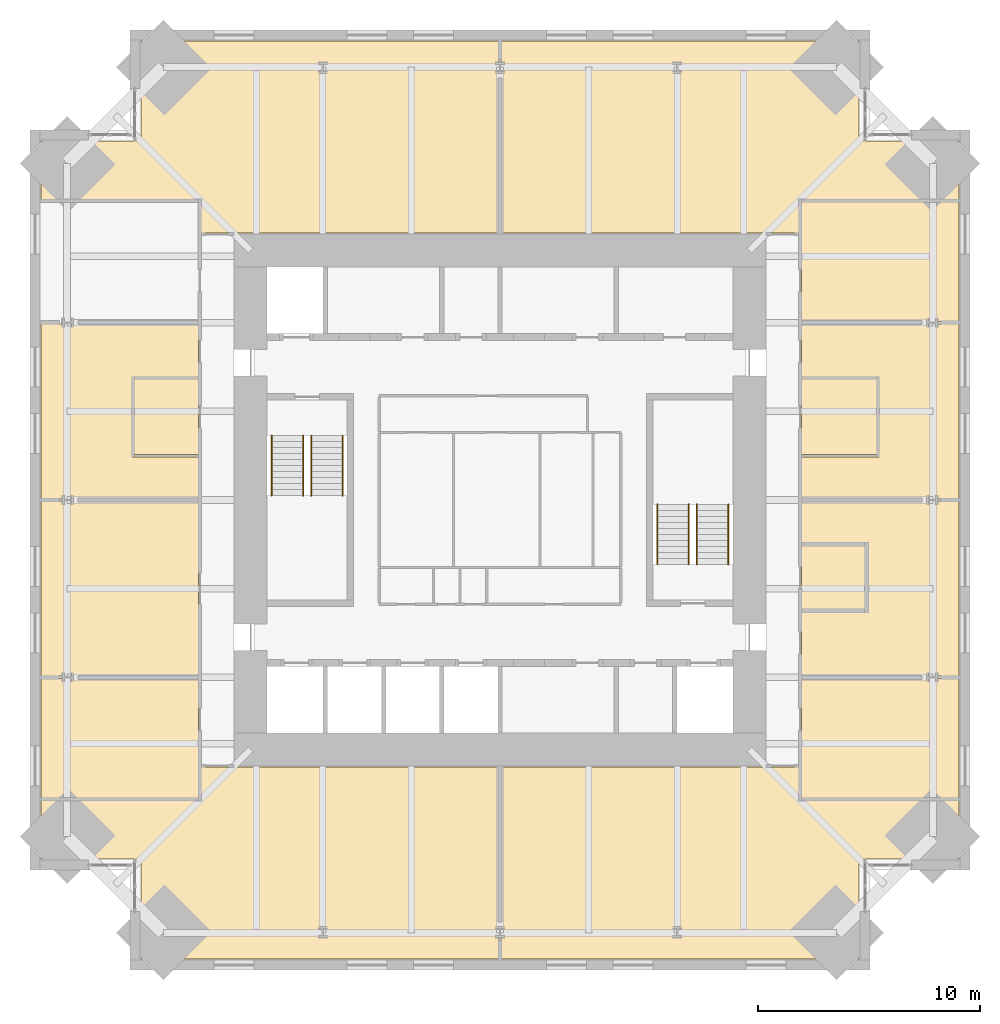
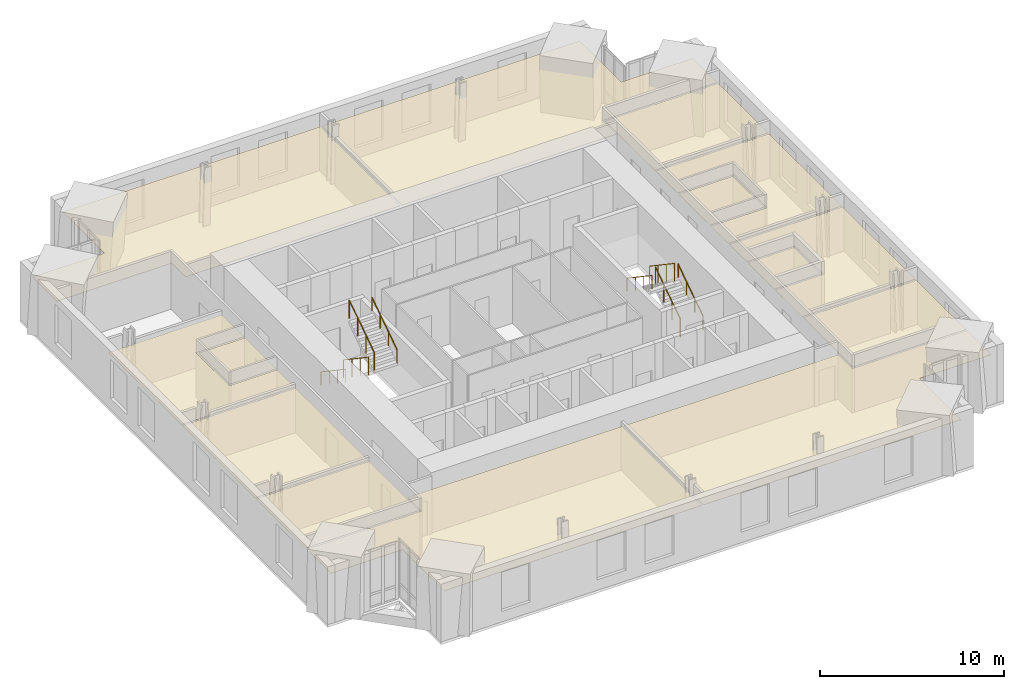
# One storey, part 15 of 15: 14 coverings, 8 railings.
"""IFC4 building model written with IfcOpenShell, lengths in metres."""

from ifc_helpers import new_model, si_unit, direction, frame, origin, origin_2d, place, context, subcontext, project, spatial, polyline, circle, outline, extrude, material, layer, layer_set, type_object, element, save


model = new_model("IFC4")

# Units and contexts
model_context = context("Model", 3, precision=1e-05, world=origin(), true_north=direction((0.0, 1.0)))
body_context = subcontext(model_context, "Body", "Model", "MODEL_VIEW")
ifc_project = project(units=[si_unit("LENGTHUNIT", "METRE"), si_unit("AREAUNIT", "SQUARE_METRE"), si_unit("VOLUMEUNIT", "CUBIC_METRE"), si_unit("PLANEANGLEUNIT", "RADIAN"), si_unit("MASSUNIT", "GRAM", prefix="KILO")], contexts=[model_context])

# Site, building, storey
site_placement = place(None, origin())
site = spatial("IfcSite", under=ifc_project, at=site_placement, CompositionType="ELEMENT")
building_placement = place(site_placement, origin())
building = spatial("IfcBuilding", under=site, at=building_placement, Name="Peilmerk Tower", CompositionType="ELEMENT")
storey_placement = place(building_placement, frame((0.0, 0.0, 281.800048828125)))
storey = spatial("IfcBuildingStorey", under=building, at=storey_placement, Name="L63", CompositionType="ELEMENT", Elevation=281.800048828125)

# Coverings
ifc_material_1 = material(Name="Mineral fibre ceiling tiles", Category="mineral")
ifc_layer = layer(ifc_material_1, 0.02490234375)
ifc_layer_set = layer_set([ifc_layer], Name="Mineral fibre ceiling tiles")
covering_type = type_object("IfcCoveringType", Name="CL1 25 suspended ceiling", PredefinedType="CEILING", material=ifc_layer_set)
covering_1_placement = place(storey_placement, frame((0.0, 0.0, 2.905029296875)))
element("IfcCovering", 1, at=covering_1_placement, inside=storey, type_object=covering_type, Name="Suspended ceiling Office", PredefinedType="CEILING", context=body_context, shape_type="SweptSolid", body=[
    extrude(outline(polyline([(-20.699951171875, 16.199951171875), (-20.699951171875, 13.550048828125), (-13.5, 13.550048828125), (-13.5, 12.050048828125), (-0.050048828125, 12.050048828125), (-0.050048828125, 20.699951171875), (-16.199951171875, 20.699951171875), (-16.199951171875, 16.199951171875), (-20.699951171875, 16.199951171875)])), origin(), (0.0, 0.0, 1.0), 0.02490234375),
])
covering_2_placement = place(storey_placement, frame((0.0, 0.0, 2.905029296875)))
element("IfcCovering", 2, at=covering_2_placement, inside=storey, type_object=covering_type, Name="Suspended ceiling Reception", PredefinedType="CEILING", context=body_context, shape_type="SweptSolid", body=[
    extrude(outline(polyline([(16.199951171875, 20.699951171875), (0.050048828125, 20.699951171875), (0.050048828125, 12.050048828125), (13.5, 12.050048828125), (13.5, 13.550048828125), (20.699951171875, 13.550048828125), (20.699951171875, 16.199951171875), (16.199951171875, 16.199951171875), (16.199951171875, 20.699951171875)])), origin(), (0.0, 0.0, 1.0), 0.02490234375),
])
covering_3_placement = place(storey_placement, frame((0.0, 0.0, 2.905029296875)))
element("IfcCovering", 3, at=covering_3_placement, inside=storey, type_object=covering_type, Name="Suspended ceiling Office", PredefinedType="CEILING", context=body_context, shape_type="SweptSolid", body=[
    extrude(outline(polyline([(-16.199951171875, -20.699951171875), (-0.050048828125, -20.699951171875), (-0.050048828125, -12.050048828125), (-13.5, -12.050048828125), (-13.5, -13.550048828125), (-20.699951171875, -13.550048828125), (-20.699951171875, -16.199951171875), (-16.199951171875, -16.199951171875), (-16.199951171875, -20.699951171875)])), origin(), (0.0, 0.0, 1.0), 0.02490234375),
])
covering_4_placement = place(storey_placement, frame((0.0, 0.0, 2.905029296875)))
element("IfcCovering", 4, at=covering_4_placement, inside=storey, type_object=covering_type, Name="Suspended ceiling Office", PredefinedType="CEILING", context=body_context, shape_type="SweptSolid", body=[
    extrude(outline(polyline([(0.050048828125, -20.699951171875), (16.199951171875, -20.699951171875), (16.199951171875, -16.199951171875), (20.699951171875, -16.199951171875), (20.699951171875, -13.550048828125), (13.5, -13.550048828125), (13.5, -12.050048828125), (0.050048828125, -12.050048828125), (0.050048828125, -20.699951171875)])), origin(), (0.0, 0.0, 1.0), 0.02490234375),
])
covering_5_placement = place(storey_placement, frame((0.0, 0.0, 2.905029296875)))
element("IfcCovering", 5, at=covering_5_placement, inside=storey, type_object=covering_type, Name="Suspended ceiling Executive office", PredefinedType="CEILING", context=body_context, shape_type="SweptSolid", body=[
    extrude(outline(polyline([(20.699951171875, -13.449951171875), (20.699951171875, -8.050048828125), (13.60009765625, -8.050048828125), (13.60009765625, -13.449951171875), (20.699951171875, -13.449951171875)])), origin(), (0.0, 0.0, 1.0), 0.02490234375),
])
covering_6_placement = place(storey_placement, frame((0.0, 0.0, 2.905029296875)))
element("IfcCovering", 6, at=covering_6_placement, inside=storey, type_object=covering_type, Name="Suspended ceiling Executive office", PredefinedType="CEILING", context=body_context, shape_type="SweptSolid", body=[
    extrude(outline(polyline([(13.60009765625, -7.949951171875), (20.699951171875, -7.949951171875), (20.699951171875, -0.050048828125), (13.60009765625, -0.050048828125), (13.60009765625, -1.949951171875), (16.60009765625, -1.949951171875), (16.60009765625, -5.050048828125), (13.60009765625, -5.050048828125), (13.60009765625, -7.949951171875)])), origin(), (0.0, 0.0, 1.0), 0.02490234375),
])
covering_7_placement = place(storey_placement, frame((0.0, 0.0, 2.905029296875)))
element("IfcCovering", 7, at=covering_7_placement, inside=storey, type_object=covering_type, Name="Suspended ceiling Executive office", PredefinedType="CEILING", context=body_context, shape_type="SweptSolid", body=[
    extrude(outline(polyline([(13.60009765625, 0.050048828125), (20.699951171875, 0.050048828125), (20.699951171875, 7.949951171875), (13.60009765625, 7.949951171875), (13.60009765625, 5.550048828125), (17.10009765625, 5.550048828125), (17.10009765625, 1.949951171875), (13.60009765625, 1.949951171875), (13.60009765625, 0.050048828125)])), origin(), (0.0, 0.0, 1.0), 0.02490234375),
])
covering_8_placement = place(storey_placement, frame((0.0, 0.0, 2.905029296875)))
element("IfcCovering", 8, at=covering_8_placement, inside=storey, type_object=covering_type, Name="Suspended ceiling Executive office", PredefinedType="CEILING", context=body_context, shape_type="SweptSolid", body=[
    extrude(outline(polyline([(20.699951171875, 8.050048828125), (20.699951171875, 13.449951171875), (13.60009765625, 13.449951171875), (13.60009765625, 8.050048828125), (20.699951171875, 8.050048828125)])), origin(), (0.0, 0.0, 1.0), 0.02490234375),
])
covering_9_placement = place(storey_placement, frame((0.0, 0.0, 2.905029296875)))
element("IfcCovering", 9, at=covering_9_placement, inside=storey, type_object=covering_type, Name="Suspended ceiling Meeting room", PredefinedType="CEILING", context=body_context, shape_type="SweptSolid", body=[
    extrude(outline(polyline([(17.0, 2.050048828125), (17.0, 5.449951171875), (13.60009765625, 5.449951171875), (13.60009765625, 2.050048828125), (17.0, 2.050048828125)])), origin(), (0.0, 0.0, 1.0), 0.02490234375),
])
covering_10_placement = place(storey_placement, frame((0.0, 0.0, 2.905029296875)))
element("IfcCovering", 10, at=covering_10_placement, inside=storey, type_object=covering_type, Name="Suspended ceiling Print room", PredefinedType="CEILING", context=body_context, shape_type="SweptSolid", body=[
    extrude(outline(polyline([(16.5, -4.949951171875), (16.5, -2.050048828125), (13.60009765625, -2.050048828125), (13.60009765625, -4.949951171875), (16.5, -4.949951171875)])), origin(), (0.0, 0.0, 1.0), 0.02490234375),
])
covering_11_placement = place(storey_placement, frame((0.0, 0.0, 2.905029296875)))
element("IfcCovering", 11, at=covering_11_placement, inside=storey, type_object=covering_type, Name="Suspended ceiling Executive office", PredefinedType="CEILING", context=body_context, shape_type="SweptSolid", body=[
    extrude(outline(polyline([(-20.699951171875, -8.050048828125), (-20.699951171875, -13.449951171875), (-13.60009765625, -13.449951171875), (-13.60009765625, -8.050048828125), (-20.699951171875, -8.050048828125)])), origin(), (0.0, 0.0, 1.0), 0.02490234375),
])
covering_12_placement = place(storey_placement, frame((0.0, 0.0, 2.905029296875)))
element("IfcCovering", 12, at=covering_12_placement, inside=storey, type_object=covering_type, Name="Suspended ceiling Board room", PredefinedType="CEILING", context=body_context, shape_type="SweptSolid", body=[
    extrude(outline(polyline([(-20.699951171875, -0.050048828125), (-20.699951171875, -7.949951171875), (-13.60009765625, -7.949951171875), (-13.60009765625, -0.050048828125), (-20.699951171875, -0.050048828125)])), origin(), (0.0, 0.0, 1.0), 0.02490234375),
])
covering_13_placement = place(storey_placement, frame((0.0, 0.0, 2.905029296875)))
element("IfcCovering", 13, at=covering_13_placement, inside=storey, type_object=covering_type, Name="Suspended ceiling Executive office", PredefinedType="CEILING", context=body_context, shape_type="SweptSolid", body=[
    extrude(outline(polyline([(-13.60009765625, 7.949951171875), (-20.699951171875, 7.949951171875), (-20.699951171875, 0.050048828125), (-13.60009765625, 0.050048828125), (-13.60009765625, 1.949951171875), (-16.60009765625, 1.949951171875), (-16.60009765625, 5.550048828125), (-13.60009765625, 5.550048828125), (-13.60009765625, 7.949951171875)])), origin(), (0.0, 0.0, 1.0), 0.02490234375),
])
covering_14_placement = place(storey_placement, frame((0.0, 0.0, 2.905029296875)))
element("IfcCovering", 14, at=covering_14_placement, inside=storey, type_object=covering_type, Name="Suspended ceiling Pantry", PredefinedType="CEILING", context=body_context, shape_type="SweptSolid", body=[
    extrude(outline(polyline([(-13.60009765625, 2.050048828125), (-13.60009765625, 5.449951171875), (-16.5, 5.449951171875), (-16.5, 2.050048828125), (-13.60009765625, 2.050048828125)])), origin(), (0.0, 0.0, 1.0), 0.02490234375),
])

# Railings
ifc_material_2 = material(Name="Steel flat bar balustrade", Category="steel")
railing_type_1 = type_object("IfcRailingType", Name="GR1 1200 stair guard", PredefinedType="GUARDRAIL", material=ifc_material_2)
railing_1_placement = place(storey_placement, frame((-8.8798828125, 2.89990234375, 0.181884765625)))
element("IfcRailing", 15, at=railing_1_placement, inside=storey, type_object=railing_type_1, Name="Guard stair 1 L63", PredefinedType="GUARDRAIL", context=body_context, shape_type="SweptSolid", body=[
    extrude(circle(Radius=0.02392578125, at=origin_2d()), frame((0.0, 0.0, 1.17578125), z_axis=(0.0, -0.829468130872, 0.55855404382), x_axis=(1.0, 0.0, 0.0)), (0.0, 0.0, 1.0), 3.255126953125),
    extrude(circle(Radius=0.02099609375, at=origin_2d()), origin(), (0.0, 0.0, 1.0), 1.15185546875),
    extrude(circle(Radius=0.02099609375, at=origin_2d()), frame((0.0, -0.89990234375, 0.60595703125)), (0.0, 0.0, 1.0), 1.15185546875),
    extrude(circle(Radius=0.02099609375, at=origin_2d()), frame((0.0, -1.800048828125, 1.212158203125)), (0.0, 0.0, 1.0), 1.15185546875),
    extrude(circle(Radius=0.02099609375, at=origin_2d()), frame((0.0, -2.699951171875, 1.818115234375)), (0.0, 0.0, 1.0), 1.15185546875),
])
for number, where, name in (
    (16, (-8.52001953125, 0.199951171875, 2.181884765625), "Guard stair 1 L63"),
    (17, (8.8798828125, -2.89990234375, 0.181884765625), "Guard stair 2 L63"),
):
    element("IfcRailing", number, at=place(storey_placement, frame(where)), inside=storey, type_object=railing_type_1, Name=name, PredefinedType="GUARDRAIL", context=body_context, shape_type="SweptSolid", body=[
        extrude(circle(Radius=0.02392578125, at=origin_2d()), frame((0.0, 0.0, 1.17578125), z_axis=(0.0, 0.829468130872, 0.55855404382), x_axis=(-1.0, 0.0, 0.0)), (0.0, 0.0, 1.0), 3.255126953125),
        extrude(circle(Radius=0.02099609375, at=origin_2d()), origin(), (0.0, 0.0, 1.0), 1.15185546875),
        extrude(circle(Radius=0.02099609375, at=origin_2d()), frame((0.0, 0.89990234375, 0.60595703125)), (0.0, 0.0, 1.0), 1.15185546875),
        extrude(circle(Radius=0.02099609375, at=origin_2d()), frame((0.0, 1.800048828125, 1.212158203125)), (0.0, 0.0, 1.0), 1.15185546875),
        extrude(circle(Radius=0.02099609375, at=origin_2d()), frame((0.0, 2.699951171875, 1.818115234375)), (0.0, 0.0, 1.0), 1.15185546875),
    ])
railing_2_placement = place(storey_placement, frame((8.52001953125, -0.199951171875, 2.181884765625)))
element("IfcRailing", 18, at=railing_2_placement, inside=storey, type_object=railing_type_1, Name="Guard stair 2 L63", PredefinedType="GUARDRAIL", context=body_context, shape_type="SweptSolid", body=[
    extrude(circle(Radius=0.02392578125, at=origin_2d()), frame((0.0, 0.0, 1.17578125), z_axis=(0.0, -0.829468130872, 0.55855404382), x_axis=(1.0, 0.0, 0.0)), (0.0, 0.0, 1.0), 3.255126953125),
    extrude(circle(Radius=0.02099609375, at=origin_2d()), origin(), (0.0, 0.0, 1.0), 1.15185546875),
    extrude(circle(Radius=0.02099609375, at=origin_2d()), frame((0.0, -0.89990234375, 0.60595703125)), (0.0, 0.0, 1.0), 1.15185546875),
    extrude(circle(Radius=0.02099609375, at=origin_2d()), frame((0.0, -1.800048828125, 1.212158203125)), (0.0, 0.0, 1.0), 1.15185546875),
    extrude(circle(Radius=0.02099609375, at=origin_2d()), frame((0.0, -2.699951171875, 1.818115234375)), (0.0, 0.0, 1.0), 1.15185546875),
])
ifc_material_3 = material(Name="Stainless steel tube", Category="steel")
railing_type_2 = type_object("IfcRailingType", Name="HR1 900 stair handrail", PredefinedType="HANDRAIL", material=ifc_material_3)
railing_3_placement = place(storey_placement, frame((-10.300048828125, 2.89990234375, 0.181884765625)))
element("IfcRailing", 19, at=railing_3_placement, inside=storey, type_object=railing_type_2, Name="Handrail stair 1 L63", PredefinedType="HANDRAIL", context=body_context, shape_type="SweptSolid", body=[
    extrude(circle(Radius=0.02392578125, at=origin_2d()), frame((0.0, 0.0, 0.8759765625), z_axis=(0.0, -0.829468130872, 0.55855404382), x_axis=(1.0, 0.0, 0.0)), (0.0, 0.0, 1.0), 3.255126953125),
    extrude(circle(Radius=0.02099609375, at=origin_2d()), origin(), (0.0, 0.0, 1.0), 0.851806640625),
    extrude(circle(Radius=0.02099609375, at=origin_2d()), frame((0.0, -0.89990234375, 0.60595703125)), (0.0, 0.0, 1.0), 0.851806640625),
    extrude(circle(Radius=0.02099609375, at=origin_2d()), frame((0.0, -1.800048828125, 1.212158203125)), (0.0, 0.0, 1.0), 0.851806640625),
    extrude(circle(Radius=0.02099609375, at=origin_2d()), frame((0.0, -2.699951171875, 1.818115234375)), (0.0, 0.0, 1.0), 0.851806640625),
])
for number, where, name in (
    (20, (-7.10009765625, 0.199951171875, 2.181884765625), "Handrail stair 1 L63"),
    (21, (10.300048828125, -2.89990234375, 0.181884765625), "Handrail stair 2 L63"),
):
    element("IfcRailing", number, at=place(storey_placement, frame(where)), inside=storey, type_object=railing_type_2, Name=name, PredefinedType="HANDRAIL", context=body_context, shape_type="SweptSolid", body=[
        extrude(circle(Radius=0.02392578125, at=origin_2d()), frame((0.0, 0.0, 0.8759765625), z_axis=(0.0, 0.829468130872, 0.55855404382), x_axis=(-1.0, 0.0, 0.0)), (0.0, 0.0, 1.0), 3.255126953125),
        extrude(circle(Radius=0.02099609375, at=origin_2d()), origin(), (0.0, 0.0, 1.0), 0.851806640625),
        extrude(circle(Radius=0.02099609375, at=origin_2d()), frame((0.0, 0.89990234375, 0.60595703125)), (0.0, 0.0, 1.0), 0.851806640625),
        extrude(circle(Radius=0.02099609375, at=origin_2d()), frame((0.0, 1.800048828125, 1.212158203125)), (0.0, 0.0, 1.0), 0.851806640625),
        extrude(circle(Radius=0.02099609375, at=origin_2d()), frame((0.0, 2.699951171875, 1.818115234375)), (0.0, 0.0, 1.0), 0.851806640625),
    ])
railing_4_placement = place(storey_placement, frame((7.10009765625, -0.199951171875, 2.181884765625)))
element("IfcRailing", 22, at=railing_4_placement, inside=storey, type_object=railing_type_2, Name="Handrail stair 2 L63", PredefinedType="HANDRAIL", context=body_context, shape_type="SweptSolid", body=[
    extrude(circle(Radius=0.02392578125, at=origin_2d()), frame((0.0, 0.0, 0.8759765625), z_axis=(0.0, -0.829468130872, 0.55855404382), x_axis=(1.0, 0.0, 0.0)), (0.0, 0.0, 1.0), 3.255126953125),
    extrude(circle(Radius=0.02099609375, at=origin_2d()), origin(), (0.0, 0.0, 1.0), 0.851806640625),
    extrude(circle(Radius=0.02099609375, at=origin_2d()), frame((0.0, -0.89990234375, 0.60595703125)), (0.0, 0.0, 1.0), 0.851806640625),
    extrude(circle(Radius=0.02099609375, at=origin_2d()), frame((0.0, -1.800048828125, 1.212158203125)), (0.0, 0.0, 1.0), 0.851806640625),
    extrude(circle(Radius=0.02099609375, at=origin_2d()), frame((0.0, -2.699951171875, 1.818115234375)), (0.0, 0.0, 1.0), 0.851806640625),
])

save(model, "model.ifc")
